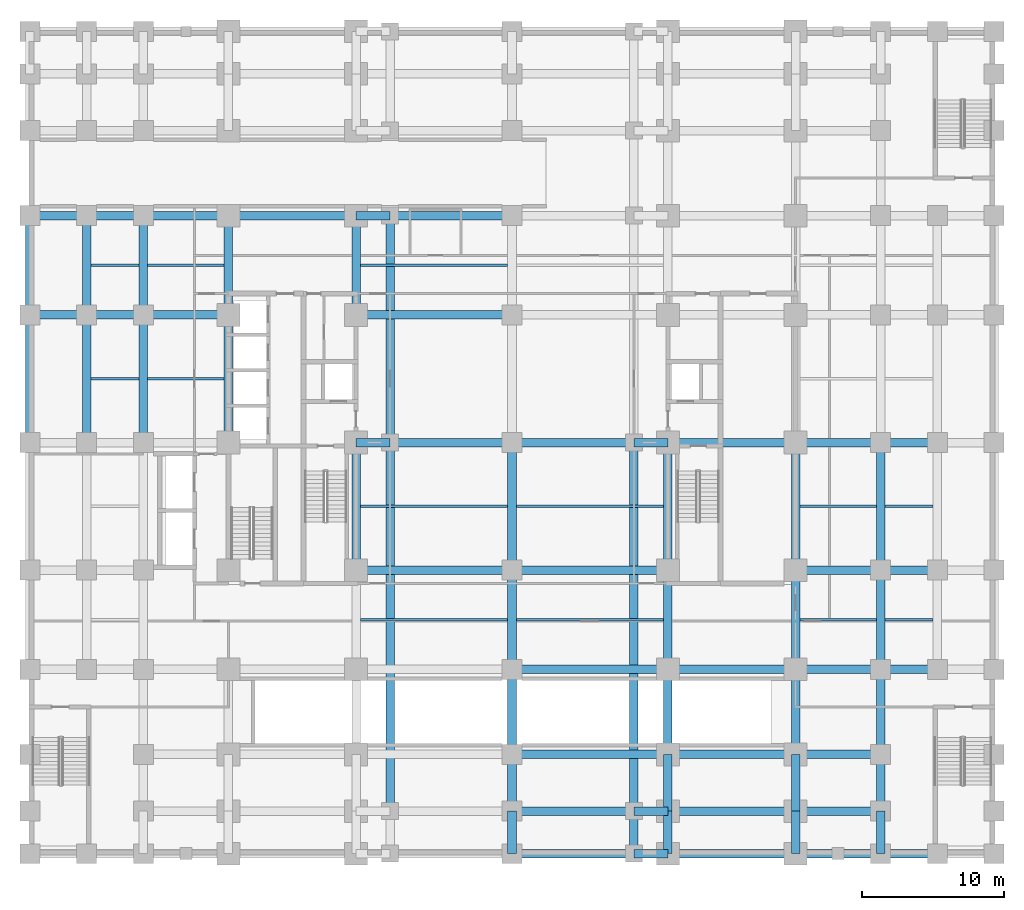
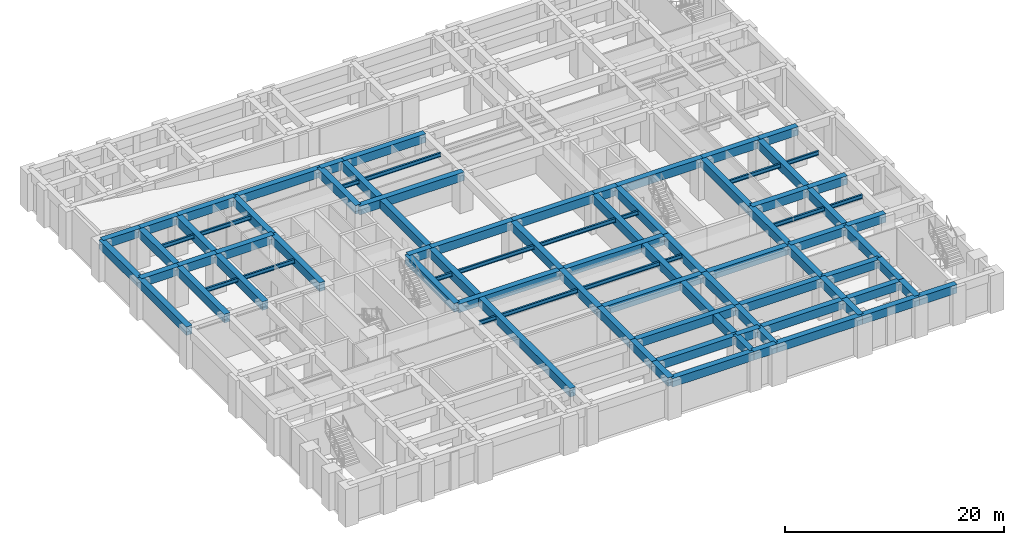
# One storey, part 2 of 14: 84 beams.
"""IFC4 building model written with IfcOpenShell, lengths in metres."""

from ifc_helpers import new_model, si_unit, direction, frame, origin, origin_2d, place, context, subcontext, project, spatial, rectangle, i_section, extrude, material, material_profile, profile_set, type_object, element, save


model = new_model("IFC4")

# Units and contexts
model_context = context("Model", 3, precision=1e-05, world=origin(), true_north=direction((0.0, 1.0)))
body_context = subcontext(model_context, "Body", "Model", "MODEL_VIEW")
ifc_project = project(units=[si_unit("LENGTHUNIT", "METRE"), si_unit("AREAUNIT", "SQUARE_METRE"), si_unit("VOLUMEUNIT", "CUBIC_METRE"), si_unit("PLANEANGLEUNIT", "RADIAN"), si_unit("MASSUNIT", "GRAM", prefix="KILO")], contexts=[model_context])

# Site, building, storey
site_placement = place(None, origin())
site = spatial("IfcSite", under=ifc_project, at=site_placement, CompositionType="ELEMENT")
building_placement = place(site_placement, origin())
building = spatial("IfcBuilding", under=site, at=building_placement, Name="Zulmaris Gate Convention Tower", CompositionType="ELEMENT")
storey_placement = place(building_placement, frame((0.0, 0.0, -4.550048828125)))
storey = spatial("IfcBuildingStorey", under=building, at=storey_placement, Name="B1", CompositionType="ELEMENT", Elevation=-4.550048828125)

# Beams
ifc_material_1 = material(Name="Concrete C60/75", Category="concrete")
ifc_material_profile_1 = material_profile(ifc_material_1, rectangle(XDim=0.60009765625, YDim=0.949951171875, at=origin_2d()), Name="RC BEAM 600x950")
ifc_profile_set_1 = profile_set([ifc_material_profile_1], Name="Concrete C60/75")
beam_type_1 = type_object("IfcBeamType", Name="BM-RC600x950", PredefinedType="BEAM", material=ifc_profile_set_1)
beam_1_placement = place(storey_placement, frame((0.0, -29.0, 3.72509765625), z_axis=(1.0, 0.0, 0.0), x_axis=(0.0, 1.0, 0.0)))
element("IfcBeam", 1, at=beam_1_placement, inside=storey, type_object=beam_type_1, Name="B1 Beam BM-B1-X--29.0-+0.0", PredefinedType="BEAM", context=body_context, shape_type="SweptSolid", body=[
    extrude(rectangle(XDim=0.60009765625, YDim=0.949951171875, at=origin_2d()), origin(), (0.0, 0.0, 1.0), 8.60009765625),
])
beam_2_placement = place(storey_placement, frame((8.60009765625, -29.0, 3.72509765625), z_axis=(1.0, 0.0, 0.0), x_axis=(0.0, 1.0, 0.0)))
element("IfcBeam", 2, at=beam_2_placement, inside=storey, type_object=beam_type_1, Name="B1 Beam BM-B1-X--29.0-+8.6", PredefinedType="BEAM", context=body_context, shape_type="SweptSolid", body=[
    extrude(rectangle(XDim=0.60009765625, YDim=0.949951171875, at=origin_2d()), origin(), (0.0, 0.0, 1.0), 2.39990234375),
])
beam_3_placement = place(storey_placement, frame((11.0, -29.0, 3.72509765625), z_axis=(1.0, 0.0, 0.0), x_axis=(0.0, 1.0, 0.0)))
element("IfcBeam", 3, at=beam_3_placement, inside=storey, type_object=beam_type_1, Name="B1 Beam BM-B1-X--29.0-+11.0", PredefinedType="BEAM", context=body_context, shape_type="SweptSolid", body=[
    extrude(rectangle(XDim=0.60009765625, YDim=0.949951171875, at=origin_2d()), origin(), (0.0, 0.0, 1.0), 9.0),
])
beam_4_placement = place(storey_placement, frame((20.0, -29.0, 3.72509765625), z_axis=(1.0, 0.0, 0.0), x_axis=(0.0, 1.0, 0.0)))
element("IfcBeam", 4, at=beam_4_placement, inside=storey, type_object=beam_type_1, Name="B1 Beam BM-B1-X--29.0-+20.0", PredefinedType="BEAM", context=body_context, shape_type="SweptSolid", body=[
    extrude(rectangle(XDim=0.60009765625, YDim=0.949951171875, at=origin_2d()), origin(), (0.0, 0.0, 1.0), 6.0),
])
beam_5_placement = place(storey_placement, frame((26.0, -29.0, 3.72509765625), z_axis=(1.0, 0.0, 0.0), x_axis=(0.0, 1.0, 0.0)))
element("IfcBeam", 5, at=beam_5_placement, inside=storey, type_object=beam_type_1, Name="B1 Beam BM-B1-X--29.0-+26.0", PredefinedType="BEAM", context=body_context, shape_type="SweptSolid", body=[
    extrude(rectangle(XDim=0.60009765625, YDim=0.949951171875, at=origin_2d()), origin(), (0.0, 0.0, 1.0), 4.0),
])
beam_6_placement = place(storey_placement, frame((0.0, -26.0, 3.72509765625), z_axis=(1.0, 0.0, 0.0), x_axis=(0.0, 1.0, 0.0)))
element("IfcBeam", 6, at=beam_6_placement, inside=storey, type_object=beam_type_1, Name="B1 Beam BM-B1-X--26.0-+0.0", PredefinedType="BEAM", context=body_context, shape_type="SweptSolid", body=[
    extrude(rectangle(XDim=0.60009765625, YDim=0.949951171875, at=origin_2d()), origin(), (0.0, 0.0, 1.0), 8.60009765625),
])
beam_7_placement = place(storey_placement, frame((8.60009765625, -26.0, 3.72509765625), z_axis=(1.0, 0.0, 0.0), x_axis=(0.0, 1.0, 0.0)))
element("IfcBeam", 7, at=beam_7_placement, inside=storey, type_object=beam_type_1, Name="B1 Beam BM-B1-X--26.0-+8.6", PredefinedType="BEAM", context=body_context, shape_type="SweptSolid", body=[
    extrude(rectangle(XDim=0.60009765625, YDim=0.949951171875, at=origin_2d()), origin(), (0.0, 0.0, 1.0), 2.39990234375),
])
beam_8_placement = place(storey_placement, frame((11.0, -26.0, 3.72509765625), z_axis=(1.0, 0.0, 0.0), x_axis=(0.0, 1.0, 0.0)))
element("IfcBeam", 8, at=beam_8_placement, inside=storey, type_object=beam_type_1, Name="B1 Beam BM-B1-X--26.0-+11.0", PredefinedType="BEAM", context=body_context, shape_type="SweptSolid", body=[
    extrude(rectangle(XDim=0.60009765625, YDim=0.949951171875, at=origin_2d()), origin(), (0.0, 0.0, 1.0), 9.0),
])
beam_9_placement = place(storey_placement, frame((20.0, -26.0, 3.72509765625), z_axis=(1.0, 0.0, 0.0), x_axis=(0.0, 1.0, 0.0)))
element("IfcBeam", 9, at=beam_9_placement, inside=storey, type_object=beam_type_1, Name="B1 Beam BM-B1-X--26.0-+20.0", PredefinedType="BEAM", context=body_context, shape_type="SweptSolid", body=[
    extrude(rectangle(XDim=0.60009765625, YDim=0.949951171875, at=origin_2d()), origin(), (0.0, 0.0, 1.0), 6.0),
])
beam_10_placement = place(storey_placement, frame((0.0, -22.0, 3.72509765625), z_axis=(1.0, 0.0, 0.0), x_axis=(0.0, 1.0, 0.0)))
element("IfcBeam", 10, at=beam_10_placement, inside=storey, type_object=beam_type_1, Name="B1 Beam BM-B1-X--22.0-+0.0", PredefinedType="BEAM", context=body_context, shape_type="SweptSolid", body=[
    extrude(rectangle(XDim=0.60009765625, YDim=0.949951171875, at=origin_2d()), origin(), (0.0, 0.0, 1.0), 11.0),
])
beam_11_placement = place(storey_placement, frame((11.0, -22.0, 3.72509765625), z_axis=(1.0, 0.0, 0.0), x_axis=(0.0, 1.0, 0.0)))
element("IfcBeam", 11, at=beam_11_placement, inside=storey, type_object=beam_type_1, Name="B1 Beam BM-B1-X--22.0-+11.0", PredefinedType="BEAM", context=body_context, shape_type="SweptSolid", body=[
    extrude(rectangle(XDim=0.60009765625, YDim=0.949951171875, at=origin_2d()), origin(), (0.0, 0.0, 1.0), 9.0),
])
beam_12_placement = place(storey_placement, frame((20.0, -22.0, 3.72509765625), z_axis=(1.0, 0.0, 0.0), x_axis=(0.0, 1.0, 0.0)))
element("IfcBeam", 12, at=beam_12_placement, inside=storey, type_object=beam_type_1, Name="B1 Beam BM-B1-X--22.0-+20.0", PredefinedType="BEAM", context=body_context, shape_type="SweptSolid", body=[
    extrude(rectangle(XDim=0.60009765625, YDim=0.949951171875, at=origin_2d()), origin(), (0.0, 0.0, 1.0), 6.0),
])
beam_13_placement = place(storey_placement, frame((0.0, -16.0, 3.72509765625), z_axis=(1.0, 0.0, 0.0), x_axis=(0.0, 1.0, 0.0)))
element("IfcBeam", 13, at=beam_13_placement, inside=storey, type_object=beam_type_1, Name="B1 Beam BM-B1-X--16.0-+0.0", PredefinedType="BEAM", context=body_context, shape_type="SweptSolid", body=[
    extrude(rectangle(XDim=0.60009765625, YDim=0.949951171875, at=origin_2d()), origin(), (0.0, 0.0, 1.0), 11.0),
])
beam_14_placement = place(storey_placement, frame((11.0, -16.0, 3.72509765625), z_axis=(1.0, 0.0, 0.0), x_axis=(0.0, 1.0, 0.0)))
element("IfcBeam", 14, at=beam_14_placement, inside=storey, type_object=beam_type_1, Name="B1 Beam BM-B1-X--16.0-+11.0", PredefinedType="BEAM", context=body_context, shape_type="SweptSolid", body=[
    extrude(rectangle(XDim=0.60009765625, YDim=0.949951171875, at=origin_2d()), origin(), (0.0, 0.0, 1.0), 9.0),
])
beam_15_placement = place(storey_placement, frame((20.0, -16.0, 3.72509765625), z_axis=(1.0, 0.0, 0.0), x_axis=(0.0, 1.0, 0.0)))
element("IfcBeam", 15, at=beam_15_placement, inside=storey, type_object=beam_type_1, Name="B1 Beam BM-B1-X--16.0-+20.0", PredefinedType="BEAM", context=body_context, shape_type="SweptSolid", body=[
    extrude(rectangle(XDim=0.60009765625, YDim=0.949951171875, at=origin_2d()), origin(), (0.0, 0.0, 1.0), 6.0),
])
beam_16_placement = place(storey_placement, frame((26.0, -16.0, 3.72509765625), z_axis=(1.0, 0.0, 0.0), x_axis=(0.0, 1.0, 0.0)))
element("IfcBeam", 16, at=beam_16_placement, inside=storey, type_object=beam_type_1, Name="B1 Beam BM-B1-X--16.0-+26.0", PredefinedType="BEAM", context=body_context, shape_type="SweptSolid", body=[
    extrude(rectangle(XDim=0.60009765625, YDim=0.949951171875, at=origin_2d()), origin(), (0.0, 0.0, 1.0), 4.0),
])
for number, where, z_axis, x_axis, name in (
    (17, (-11.0, -9.0, 3.72509765625), (1.0, 0.0, 0.0), (0.0, 1.0, 0.0), "B1 Beam BM-B1-X--9.0--11.0"),
    (18, (0.0, -9.0, 3.72509765625), (1.0, 0.0, 0.0), (0.0, 1.0, 0.0), "B1 Beam BM-B1-X--9.0-+0.0"),
):
    element("IfcBeam", number, at=place(storey_placement, frame(where, z_axis=z_axis, x_axis=x_axis)), inside=storey, type_object=beam_type_1, Name=name, PredefinedType="BEAM", context=body_context, shape_type="SweptSolid", body=[
        extrude(rectangle(XDim=0.60009765625, YDim=0.949951171875, at=origin_2d()), origin(), (0.0, 0.0, 1.0), 11.0),
    ])
beam_17_placement = place(storey_placement, frame((20.0, -9.0, 3.72509765625), z_axis=(1.0, 0.0, 0.0), x_axis=(0.0, 1.0, 0.0)))
element("IfcBeam", 19, at=beam_17_placement, inside=storey, type_object=beam_type_1, Name="B1 Beam BM-B1-X--9.0-+20.0", PredefinedType="BEAM", context=body_context, shape_type="SweptSolid", body=[
    extrude(rectangle(XDim=0.60009765625, YDim=0.949951171875, at=origin_2d()), origin(), (0.0, 0.0, 1.0), 6.0),
])
beam_18_placement = place(storey_placement, frame((26.0, -9.0, 3.72509765625), z_axis=(1.0, 0.0, 0.0), x_axis=(0.0, 1.0, 0.0)))
element("IfcBeam", 20, at=beam_18_placement, inside=storey, type_object=beam_type_1, Name="B1 Beam BM-B1-X--9.0-+26.0", PredefinedType="BEAM", context=body_context, shape_type="SweptSolid", body=[
    extrude(rectangle(XDim=0.60009765625, YDim=0.949951171875, at=origin_2d()), origin(), (0.0, 0.0, 1.0), 4.0),
])
beam_19_placement = place(storey_placement, frame((-11.0, 0.0, 3.72509765625), z_axis=(1.0, 0.0, 0.0), x_axis=(0.0, 1.0, 0.0)))
element("IfcBeam", 21, at=beam_19_placement, inside=storey, type_object=beam_type_1, Name="B1 Beam BM-B1-X-+0.0--11.0", PredefinedType="BEAM", context=body_context, shape_type="SweptSolid", body=[
    extrude(rectangle(XDim=0.60009765625, YDim=0.949951171875, at=origin_2d()), origin(), (0.0, 0.0, 1.0), 2.39990234375),
])
for number, where, z_axis, x_axis, name in (
    (22, (-8.60009765625, 0.0, 3.72509765625), (1.0, 0.0, 0.0), (0.0, 1.0, 0.0), "B1 Beam BM-B1-X-+0.0--8.6"),
    (23, (0.0, 0.0, 3.72509765625), (1.0, 0.0, 0.0), (0.0, 1.0, 0.0), "B1 Beam BM-B1-X-+0.0-+0.0"),
):
    element("IfcBeam", number, at=place(storey_placement, frame(where, z_axis=z_axis, x_axis=x_axis)), inside=storey, type_object=beam_type_1, Name=name, PredefinedType="BEAM", context=body_context, shape_type="SweptSolid", body=[
        extrude(rectangle(XDim=0.60009765625, YDim=0.949951171875, at=origin_2d()), origin(), (0.0, 0.0, 1.0), 8.60009765625),
    ])
beam_20_placement = place(storey_placement, frame((8.60009765625, 0.0, 3.72509765625), z_axis=(1.0, 0.0, 0.0), x_axis=(0.0, 1.0, 0.0)))
element("IfcBeam", 24, at=beam_20_placement, inside=storey, type_object=beam_type_1, Name="B1 Beam BM-B1-X-+0.0-+8.6", PredefinedType="BEAM", context=body_context, shape_type="SweptSolid", body=[
    extrude(rectangle(XDim=0.60009765625, YDim=0.949951171875, at=origin_2d()), origin(), (0.0, 0.0, 1.0), 2.39990234375),
])
beam_21_placement = place(storey_placement, frame((11.0, 0.0, 3.72509765625), z_axis=(1.0, 0.0, 0.0), x_axis=(0.0, 1.0, 0.0)))
element("IfcBeam", 25, at=beam_21_placement, inside=storey, type_object=beam_type_1, Name="B1 Beam BM-B1-X-+0.0-+11.0", PredefinedType="BEAM", context=body_context, shape_type="SweptSolid", body=[
    extrude(rectangle(XDim=0.60009765625, YDim=0.949951171875, at=origin_2d()), origin(), (0.0, 0.0, 1.0), 9.0),
])
beam_22_placement = place(storey_placement, frame((20.0, 0.0, 3.72509765625), z_axis=(1.0, 0.0, 0.0), x_axis=(0.0, 1.0, 0.0)))
element("IfcBeam", 26, at=beam_22_placement, inside=storey, type_object=beam_type_1, Name="B1 Beam BM-B1-X-+0.0-+20.0", PredefinedType="BEAM", context=body_context, shape_type="SweptSolid", body=[
    extrude(rectangle(XDim=0.60009765625, YDim=0.949951171875, at=origin_2d()), origin(), (0.0, 0.0, 1.0), 6.0),
])
for number, where, z_axis, x_axis, name in (
    (27, (26.0, 0.0, 3.72509765625), (1.0, 0.0, 0.0), (0.0, 1.0, 0.0), "B1 Beam BM-B1-X-+0.0-+26.0"),
    (28, (-34.0, 9.0, 3.72509765625), (1.0, 0.0, 0.0), (0.0, 1.0, 0.0), "B1 Beam BM-B1-X-+9.0--34.0"),
    (29, (-30.0, 9.0, 3.72509765625), (1.0, 0.0, 0.0), (0.0, 1.0, 0.0), "B1 Beam BM-B1-X-+9.0--30.0"),
):
    element("IfcBeam", number, at=place(storey_placement, frame(where, z_axis=z_axis, x_axis=x_axis)), inside=storey, type_object=beam_type_1, Name=name, PredefinedType="BEAM", context=body_context, shape_type="SweptSolid", body=[
        extrude(rectangle(XDim=0.60009765625, YDim=0.949951171875, at=origin_2d()), origin(), (0.0, 0.0, 1.0), 4.0),
    ])
beam_23_placement = place(storey_placement, frame((-26.0, 9.0, 3.72509765625), z_axis=(1.0, 0.0, 0.0), x_axis=(0.0, 1.0, 0.0)))
element("IfcBeam", 30, at=beam_23_placement, inside=storey, type_object=beam_type_1, Name="B1 Beam BM-B1-X-+9.0--26.0", PredefinedType="BEAM", context=body_context, shape_type="SweptSolid", body=[
    extrude(rectangle(XDim=0.60009765625, YDim=0.949951171875, at=origin_2d()), origin(), (0.0, 0.0, 1.0), 6.0),
])
beam_24_placement = place(storey_placement, frame((-11.0, 9.0, 3.72509765625), z_axis=(1.0, 0.0, 0.0), x_axis=(0.0, 1.0, 0.0)))
element("IfcBeam", 31, at=beam_24_placement, inside=storey, type_object=beam_type_1, Name="B1 Beam BM-B1-X-+9.0--11.0", PredefinedType="BEAM", context=body_context, shape_type="SweptSolid", body=[
    extrude(rectangle(XDim=0.60009765625, YDim=0.949951171875, at=origin_2d()), origin(), (0.0, 0.0, 1.0), 11.0),
])
for number, where, z_axis, x_axis, name in (
    (32, (-34.0, 16.0, 3.72509765625), (1.0, 0.0, 0.0), (0.0, 1.0, 0.0), "B1 Beam BM-B1-X-+16.0--34.0"),
    (33, (-30.0, 16.0, 3.72509765625), (1.0, 0.0, 0.0), (0.0, 1.0, 0.0), "B1 Beam BM-B1-X-+16.0--30.0"),
):
    element("IfcBeam", number, at=place(storey_placement, frame(where, z_axis=z_axis, x_axis=x_axis)), inside=storey, type_object=beam_type_1, Name=name, PredefinedType="BEAM", context=body_context, shape_type="SweptSolid", body=[
        extrude(rectangle(XDim=0.60009765625, YDim=0.949951171875, at=origin_2d()), origin(), (0.0, 0.0, 1.0), 4.0),
    ])
beam_25_placement = place(storey_placement, frame((-26.0, 16.0, 3.72509765625), z_axis=(1.0, 0.0, 0.0), x_axis=(0.0, 1.0, 0.0)))
element("IfcBeam", 34, at=beam_25_placement, inside=storey, type_object=beam_type_1, Name="B1 Beam BM-B1-X-+16.0--26.0", PredefinedType="BEAM", context=body_context, shape_type="SweptSolid", body=[
    extrude(rectangle(XDim=0.60009765625, YDim=0.949951171875, at=origin_2d()), origin(), (0.0, 0.0, 1.0), 6.0),
])
beam_26_placement = place(storey_placement, frame((-20.0, 16.0, 3.72509765625), z_axis=(1.0, 0.0, 0.0), x_axis=(0.0, 1.0, 0.0)))
element("IfcBeam", 35, at=beam_26_placement, inside=storey, type_object=beam_type_1, Name="B1 Beam BM-B1-X-+16.0--20.0", PredefinedType="BEAM", context=body_context, shape_type="SweptSolid", body=[
    extrude(rectangle(XDim=0.60009765625, YDim=0.949951171875, at=origin_2d()), origin(), (0.0, 0.0, 1.0), 9.0),
])
beam_27_placement = place(storey_placement, frame((-11.0, 16.0, 3.72509765625), z_axis=(1.0, 0.0, 0.0), x_axis=(0.0, 1.0, 0.0)))
element("IfcBeam", 36, at=beam_27_placement, inside=storey, type_object=beam_type_1, Name="B1 Beam BM-B1-X-+16.0--11.0", PredefinedType="BEAM", context=body_context, shape_type="SweptSolid", body=[
    extrude(rectangle(XDim=0.60009765625, YDim=0.949951171875, at=origin_2d()), origin(), (0.0, 0.0, 1.0), 2.39990234375),
])
beam_28_placement = place(storey_placement, frame((-8.60009765625, 16.0, 3.72509765625), z_axis=(1.0, 0.0, 0.0), x_axis=(0.0, 1.0, 0.0)))
element("IfcBeam", 37, at=beam_28_placement, inside=storey, type_object=beam_type_1, Name="B1 Beam BM-B1-X-+16.0--8.6", PredefinedType="BEAM", context=body_context, shape_type="SweptSolid", body=[
    extrude(rectangle(XDim=0.60009765625, YDim=0.949951171875, at=origin_2d()), origin(), (0.0, 0.0, 1.0), 8.60009765625),
])
beam_29_placement = place(storey_placement, frame((-34.0, 0.0, 3.72509765625), z_axis=(0.0, 1.0, 0.0), x_axis=(-1.0, 0.0, 0.0)))
element("IfcBeam", 38, at=beam_29_placement, inside=storey, type_object=beam_type_1, Name="B1 Beam BM-B1-Y--34.0-+0.0", PredefinedType="BEAM", context=body_context, shape_type="SweptSolid", body=[
    extrude(rectangle(XDim=0.60009765625, YDim=0.949951171875, at=origin_2d()), origin(), (0.0, 0.0, 1.0), 9.0),
])
beam_30_placement = place(storey_placement, frame((-34.0, 9.0, 3.72509765625), z_axis=(0.0, 1.0, 0.0), x_axis=(-1.0, 0.0, 0.0)))
element("IfcBeam", 39, at=beam_30_placement, inside=storey, type_object=beam_type_1, Name="B1 Beam BM-B1-Y--34.0-+9.0", PredefinedType="BEAM", context=body_context, shape_type="SweptSolid", body=[
    extrude(rectangle(XDim=0.60009765625, YDim=0.949951171875, at=origin_2d()), origin(), (0.0, 0.0, 1.0), 7.0),
])
beam_31_placement = place(storey_placement, frame((-30.0, 0.0, 3.72509765625), z_axis=(0.0, 1.0, 0.0), x_axis=(-1.0, 0.0, 0.0)))
element("IfcBeam", 40, at=beam_31_placement, inside=storey, type_object=beam_type_1, Name="B1 Beam BM-B1-Y--30.0-+0.0", PredefinedType="BEAM", context=body_context, shape_type="SweptSolid", body=[
    extrude(rectangle(XDim=0.60009765625, YDim=0.949951171875, at=origin_2d()), origin(), (0.0, 0.0, 1.0), 9.0),
])
beam_32_placement = place(storey_placement, frame((-30.0, 9.0, 3.72509765625), z_axis=(0.0, 1.0, 0.0), x_axis=(-1.0, 0.0, 0.0)))
element("IfcBeam", 41, at=beam_32_placement, inside=storey, type_object=beam_type_1, Name="B1 Beam BM-B1-Y--30.0-+9.0", PredefinedType="BEAM", context=body_context, shape_type="SweptSolid", body=[
    extrude(rectangle(XDim=0.60009765625, YDim=0.949951171875, at=origin_2d()), origin(), (0.0, 0.0, 1.0), 7.0),
])
beam_33_placement = place(storey_placement, frame((-26.0, 0.0, 3.72509765625), z_axis=(0.0, 1.0, 0.0), x_axis=(-1.0, 0.0, 0.0)))
element("IfcBeam", 42, at=beam_33_placement, inside=storey, type_object=beam_type_1, Name="B1 Beam BM-B1-Y--26.0-+0.0", PredefinedType="BEAM", context=body_context, shape_type="SweptSolid", body=[
    extrude(rectangle(XDim=0.60009765625, YDim=0.949951171875, at=origin_2d()), origin(), (0.0, 0.0, 1.0), 9.0),
])
beam_34_placement = place(storey_placement, frame((-26.0, 9.0, 3.72509765625), z_axis=(0.0, 1.0, 0.0), x_axis=(-1.0, 0.0, 0.0)))
element("IfcBeam", 43, at=beam_34_placement, inside=storey, type_object=beam_type_1, Name="B1 Beam BM-B1-Y--26.0-+9.0", PredefinedType="BEAM", context=body_context, shape_type="SweptSolid", body=[
    extrude(rectangle(XDim=0.60009765625, YDim=0.949951171875, at=origin_2d()), origin(), (0.0, 0.0, 1.0), 7.0),
])
beam_35_placement = place(storey_placement, frame((-20.0, 0.0, 3.72509765625), z_axis=(0.0, 1.0, 0.0), x_axis=(-1.0, 0.0, 0.0)))
element("IfcBeam", 44, at=beam_35_placement, inside=storey, type_object=beam_type_1, Name="B1 Beam BM-B1-Y--20.0-+0.0", PredefinedType="BEAM", context=body_context, shape_type="SweptSolid", body=[
    extrude(rectangle(XDim=0.60009765625, YDim=0.949951171875, at=origin_2d()), origin(), (0.0, 0.0, 1.0), 9.0),
])
beam_36_placement = place(storey_placement, frame((-20.0, 9.0, 3.72509765625), z_axis=(0.0, 1.0, 0.0), x_axis=(-1.0, 0.0, 0.0)))
element("IfcBeam", 45, at=beam_36_placement, inside=storey, type_object=beam_type_1, Name="B1 Beam BM-B1-Y--20.0-+9.0", PredefinedType="BEAM", context=body_context, shape_type="SweptSolid", body=[
    extrude(rectangle(XDim=0.60009765625, YDim=0.949951171875, at=origin_2d()), origin(), (0.0, 0.0, 1.0), 7.0),
])
beam_37_placement = place(storey_placement, frame((-11.0, -9.0, 3.72509765625), z_axis=(0.0, 1.0, 0.0), x_axis=(-1.0, 0.0, 0.0)))
element("IfcBeam", 46, at=beam_37_placement, inside=storey, type_object=beam_type_1, Name="B1 Beam BM-B1-Y--11.0--9.0", PredefinedType="BEAM", context=body_context, shape_type="SweptSolid", body=[
    extrude(rectangle(XDim=0.60009765625, YDim=0.949951171875, at=origin_2d()), origin(), (0.0, 0.0, 1.0), 9.0),
])
beam_38_placement = place(storey_placement, frame((-11.0, 9.0, 3.72509765625), z_axis=(0.0, 1.0, 0.0), x_axis=(-1.0, 0.0, 0.0)))
element("IfcBeam", 47, at=beam_38_placement, inside=storey, type_object=beam_type_1, Name="B1 Beam BM-B1-Y--11.0-+9.0", PredefinedType="BEAM", context=body_context, shape_type="SweptSolid", body=[
    extrude(rectangle(XDim=0.60009765625, YDim=0.949951171875, at=origin_2d()), origin(), (0.0, 0.0, 1.0), 7.0),
])
beam_39_placement = place(storey_placement, frame((-8.60009765625, -26.0, 3.72509765625), z_axis=(0.0, 1.0, 0.0), x_axis=(-1.0, 0.0, 0.0)))
element("IfcBeam", 48, at=beam_39_placement, inside=storey, type_object=beam_type_1, Name="B1 Beam BM-B1-Y--8.6--26.0", PredefinedType="BEAM", context=body_context, shape_type="SweptSolid", body=[
    extrude(rectangle(XDim=0.60009765625, YDim=0.949951171875, at=origin_2d()), origin(), (0.0, 0.0, 1.0), 26.0),
])
beam_40_placement = place(storey_placement, frame((-8.60009765625, 0.0, 3.72509765625), z_axis=(0.0, 1.0, 0.0), x_axis=(-1.0, 0.0, 0.0)))
element("IfcBeam", 49, at=beam_40_placement, inside=storey, type_object=beam_type_1, Name="B1 Beam BM-B1-Y--8.6-+0.0", PredefinedType="BEAM", context=body_context, shape_type="SweptSolid", body=[
    extrude(rectangle(XDim=0.60009765625, YDim=0.949951171875, at=origin_2d()), origin(), (0.0, 0.0, 1.0), 16.0),
])
beam_41_placement = place(storey_placement, frame((0.0, -29.0, 3.72509765625), z_axis=(0.0, 1.0, 0.0), x_axis=(-1.0, 0.0, 0.0)))
element("IfcBeam", 50, at=beam_41_placement, inside=storey, type_object=beam_type_1, Name="B1 Beam BM-B1-Y-+0.0--29.0", PredefinedType="BEAM", context=body_context, shape_type="SweptSolid", body=[
    extrude(rectangle(XDim=0.60009765625, YDim=0.949951171875, at=origin_2d()), origin(), (0.0, 0.0, 1.0), 3.0),
])
beam_42_placement = place(storey_placement, frame((0.0, -26.0, 3.72509765625), z_axis=(0.0, 1.0, 0.0), x_axis=(-1.0, 0.0, 0.0)))
element("IfcBeam", 51, at=beam_42_placement, inside=storey, type_object=beam_type_1, Name="B1 Beam BM-B1-Y-+0.0--26.0", PredefinedType="BEAM", context=body_context, shape_type="SweptSolid", body=[
    extrude(rectangle(XDim=0.60009765625, YDim=0.949951171875, at=origin_2d()), origin(), (0.0, 0.0, 1.0), 4.0),
])
beam_43_placement = place(storey_placement, frame((0.0, -22.0, 3.72509765625), z_axis=(0.0, 1.0, 0.0), x_axis=(-1.0, 0.0, 0.0)))
element("IfcBeam", 52, at=beam_43_placement, inside=storey, type_object=beam_type_1, Name="B1 Beam BM-B1-Y-+0.0--22.0", PredefinedType="BEAM", context=body_context, shape_type="SweptSolid", body=[
    extrude(rectangle(XDim=0.60009765625, YDim=0.949951171875, at=origin_2d()), origin(), (0.0, 0.0, 1.0), 6.0),
])
beam_44_placement = place(storey_placement, frame((0.0, -16.0, 3.72509765625), z_axis=(0.0, 1.0, 0.0), x_axis=(-1.0, 0.0, 0.0)))
element("IfcBeam", 53, at=beam_44_placement, inside=storey, type_object=beam_type_1, Name="B1 Beam BM-B1-Y-+0.0--16.0", PredefinedType="BEAM", context=body_context, shape_type="SweptSolid", body=[
    extrude(rectangle(XDim=0.60009765625, YDim=0.949951171875, at=origin_2d()), origin(), (0.0, 0.0, 1.0), 7.0),
])
beam_45_placement = place(storey_placement, frame((0.0, -9.0, 3.72509765625), z_axis=(0.0, 1.0, 0.0), x_axis=(-1.0, 0.0, 0.0)))
element("IfcBeam", 54, at=beam_45_placement, inside=storey, type_object=beam_type_1, Name="B1 Beam BM-B1-Y-+0.0--9.0", PredefinedType="BEAM", context=body_context, shape_type="SweptSolid", body=[
    extrude(rectangle(XDim=0.60009765625, YDim=0.949951171875, at=origin_2d()), origin(), (0.0, 0.0, 1.0), 9.0),
])
beam_46_placement = place(storey_placement, frame((8.60009765625, -29.0, 3.72509765625), z_axis=(0.0, 1.0, 0.0), x_axis=(-1.0, 0.0, 0.0)))
element("IfcBeam", 55, at=beam_46_placement, inside=storey, type_object=beam_type_1, Name="B1 Beam BM-B1-Y-+8.6--29.0", PredefinedType="BEAM", context=body_context, shape_type="SweptSolid", body=[
    extrude(rectangle(XDim=0.60009765625, YDim=0.949951171875, at=origin_2d()), origin(), (0.0, 0.0, 1.0), 3.0),
])
beam_47_placement = place(storey_placement, frame((8.60009765625, -26.0, 3.72509765625), z_axis=(0.0, 1.0, 0.0), x_axis=(-1.0, 0.0, 0.0)))
element("IfcBeam", 56, at=beam_47_placement, inside=storey, type_object=beam_type_1, Name="B1 Beam BM-B1-Y-+8.6--26.0", PredefinedType="BEAM", context=body_context, shape_type="SweptSolid", body=[
    extrude(rectangle(XDim=0.60009765625, YDim=0.949951171875, at=origin_2d()), origin(), (0.0, 0.0, 1.0), 26.0),
])
beam_48_placement = place(storey_placement, frame((11.0, -29.0, 3.72509765625), z_axis=(0.0, 1.0, 0.0), x_axis=(-1.0, 0.0, 0.0)))
element("IfcBeam", 57, at=beam_48_placement, inside=storey, type_object=beam_type_1, Name="B1 Beam BM-B1-Y-+11.0--29.0", PredefinedType="BEAM", context=body_context, shape_type="SweptSolid", body=[
    extrude(rectangle(XDim=0.60009765625, YDim=0.949951171875, at=origin_2d()), origin(), (0.0, 0.0, 1.0), 3.0),
])
beam_49_placement = place(storey_placement, frame((11.0, -26.0, 3.72509765625), z_axis=(0.0, 1.0, 0.0), x_axis=(-1.0, 0.0, 0.0)))
element("IfcBeam", 58, at=beam_49_placement, inside=storey, type_object=beam_type_1, Name="B1 Beam BM-B1-Y-+11.0--26.0", PredefinedType="BEAM", context=body_context, shape_type="SweptSolid", body=[
    extrude(rectangle(XDim=0.60009765625, YDim=0.949951171875, at=origin_2d()), origin(), (0.0, 0.0, 1.0), 4.0),
])
beam_50_placement = place(storey_placement, frame((11.0, -22.0, 3.72509765625), z_axis=(0.0, 1.0, 0.0), x_axis=(-1.0, 0.0, 0.0)))
element("IfcBeam", 59, at=beam_50_placement, inside=storey, type_object=beam_type_1, Name="B1 Beam BM-B1-Y-+11.0--22.0", PredefinedType="BEAM", context=body_context, shape_type="SweptSolid", body=[
    extrude(rectangle(XDim=0.60009765625, YDim=0.949951171875, at=origin_2d()), origin(), (0.0, 0.0, 1.0), 6.0),
])
beam_51_placement = place(storey_placement, frame((11.0, -16.0, 3.72509765625), z_axis=(0.0, 1.0, 0.0), x_axis=(-1.0, 0.0, 0.0)))
element("IfcBeam", 60, at=beam_51_placement, inside=storey, type_object=beam_type_1, Name="B1 Beam BM-B1-Y-+11.0--16.0", PredefinedType="BEAM", context=body_context, shape_type="SweptSolid", body=[
    extrude(rectangle(XDim=0.60009765625, YDim=0.949951171875, at=origin_2d()), origin(), (0.0, 0.0, 1.0), 7.0),
])
beam_52_placement = place(storey_placement, frame((11.0, -9.0, 3.72509765625), z_axis=(0.0, 1.0, 0.0), x_axis=(-1.0, 0.0, 0.0)))
element("IfcBeam", 61, at=beam_52_placement, inside=storey, type_object=beam_type_1, Name="B1 Beam BM-B1-Y-+11.0--9.0", PredefinedType="BEAM", context=body_context, shape_type="SweptSolid", body=[
    extrude(rectangle(XDim=0.60009765625, YDim=0.949951171875, at=origin_2d()), origin(), (0.0, 0.0, 1.0), 9.0),
])
beam_53_placement = place(storey_placement, frame((20.0, -29.0, 3.72509765625), z_axis=(0.0, 1.0, 0.0), x_axis=(-1.0, 0.0, 0.0)))
element("IfcBeam", 62, at=beam_53_placement, inside=storey, type_object=beam_type_1, Name="B1 Beam BM-B1-Y-+20.0--29.0", PredefinedType="BEAM", context=body_context, shape_type="SweptSolid", body=[
    extrude(rectangle(XDim=0.60009765625, YDim=0.949951171875, at=origin_2d()), origin(), (0.0, 0.0, 1.0), 3.0),
])
beam_54_placement = place(storey_placement, frame((20.0, -26.0, 3.72509765625), z_axis=(0.0, 1.0, 0.0), x_axis=(-1.0, 0.0, 0.0)))
element("IfcBeam", 63, at=beam_54_placement, inside=storey, type_object=beam_type_1, Name="B1 Beam BM-B1-Y-+20.0--26.0", PredefinedType="BEAM", context=body_context, shape_type="SweptSolid", body=[
    extrude(rectangle(XDim=0.60009765625, YDim=0.949951171875, at=origin_2d()), origin(), (0.0, 0.0, 1.0), 4.0),
])
beam_55_placement = place(storey_placement, frame((20.0, -22.0, 3.72509765625), z_axis=(0.0, 1.0, 0.0), x_axis=(-1.0, 0.0, 0.0)))
element("IfcBeam", 64, at=beam_55_placement, inside=storey, type_object=beam_type_1, Name="B1 Beam BM-B1-Y-+20.0--22.0", PredefinedType="BEAM", context=body_context, shape_type="SweptSolid", body=[
    extrude(rectangle(XDim=0.60009765625, YDim=0.949951171875, at=origin_2d()), origin(), (0.0, 0.0, 1.0), 6.0),
])
beam_56_placement = place(storey_placement, frame((20.0, -16.0, 3.72509765625), z_axis=(0.0, 1.0, 0.0), x_axis=(-1.0, 0.0, 0.0)))
element("IfcBeam", 65, at=beam_56_placement, inside=storey, type_object=beam_type_1, Name="B1 Beam BM-B1-Y-+20.0--16.0", PredefinedType="BEAM", context=body_context, shape_type="SweptSolid", body=[
    extrude(rectangle(XDim=0.60009765625, YDim=0.949951171875, at=origin_2d()), origin(), (0.0, 0.0, 1.0), 7.0),
])
beam_57_placement = place(storey_placement, frame((20.0, -9.0, 3.72509765625), z_axis=(0.0, 1.0, 0.0), x_axis=(-1.0, 0.0, 0.0)))
element("IfcBeam", 66, at=beam_57_placement, inside=storey, type_object=beam_type_1, Name="B1 Beam BM-B1-Y-+20.0--9.0", PredefinedType="BEAM", context=body_context, shape_type="SweptSolid", body=[
    extrude(rectangle(XDim=0.60009765625, YDim=0.949951171875, at=origin_2d()), origin(), (0.0, 0.0, 1.0), 9.0),
])
beam_58_placement = place(storey_placement, frame((26.0, -29.0, 3.72509765625), z_axis=(0.0, 1.0, 0.0), x_axis=(-1.0, 0.0, 0.0)))
element("IfcBeam", 67, at=beam_58_placement, inside=storey, type_object=beam_type_1, Name="B1 Beam BM-B1-Y-+26.0--29.0", PredefinedType="BEAM", context=body_context, shape_type="SweptSolid", body=[
    extrude(rectangle(XDim=0.60009765625, YDim=0.949951171875, at=origin_2d()), origin(), (0.0, 0.0, 1.0), 3.0),
])
beam_59_placement = place(storey_placement, frame((26.0, -26.0, 3.72509765625), z_axis=(0.0, 1.0, 0.0), x_axis=(-1.0, 0.0, 0.0)))
element("IfcBeam", 68, at=beam_59_placement, inside=storey, type_object=beam_type_1, Name="B1 Beam BM-B1-Y-+26.0--26.0", PredefinedType="BEAM", context=body_context, shape_type="SweptSolid", body=[
    extrude(rectangle(XDim=0.60009765625, YDim=0.949951171875, at=origin_2d()), origin(), (0.0, 0.0, 1.0), 4.0),
])
beam_60_placement = place(storey_placement, frame((26.0, -22.0, 3.72509765625), z_axis=(0.0, 1.0, 0.0), x_axis=(-1.0, 0.0, 0.0)))
element("IfcBeam", 69, at=beam_60_placement, inside=storey, type_object=beam_type_1, Name="B1 Beam BM-B1-Y-+26.0--22.0", PredefinedType="BEAM", context=body_context, shape_type="SweptSolid", body=[
    extrude(rectangle(XDim=0.60009765625, YDim=0.949951171875, at=origin_2d()), origin(), (0.0, 0.0, 1.0), 6.0),
])
beam_61_placement = place(storey_placement, frame((26.0, -16.0, 3.72509765625), z_axis=(0.0, 1.0, 0.0), x_axis=(-1.0, 0.0, 0.0)))
element("IfcBeam", 70, at=beam_61_placement, inside=storey, type_object=beam_type_1, Name="B1 Beam BM-B1-Y-+26.0--16.0", PredefinedType="BEAM", context=body_context, shape_type="SweptSolid", body=[
    extrude(rectangle(XDim=0.60009765625, YDim=0.949951171875, at=origin_2d()), origin(), (0.0, 0.0, 1.0), 7.0),
])
beam_62_placement = place(storey_placement, frame((26.0, -9.0, 3.72509765625), z_axis=(0.0, 1.0, 0.0), x_axis=(-1.0, 0.0, 0.0)))
element("IfcBeam", 71, at=beam_62_placement, inside=storey, type_object=beam_type_1, Name="B1 Beam BM-B1-Y-+26.0--9.0", PredefinedType="BEAM", context=body_context, shape_type="SweptSolid", body=[
    extrude(rectangle(XDim=0.60009765625, YDim=0.949951171875, at=origin_2d()), origin(), (0.0, 0.0, 1.0), 9.0),
])
ifc_material_2 = material(Name="Steel S355", Category="steel")
ifc_material_profile_2 = material_profile(ifc_material_2, i_section(OverallWidth=0.18994140625, OverallDepth=0.449951171875, WebThickness=0.009521484375, FlangeThickness=0.0146484375, FilletRadius=0.02099609375, at=origin_2d()), Name="IPE 450")
ifc_profile_set_2 = profile_set([ifc_material_profile_2], Name="Steel S355")
beam_type_2 = type_object("IfcBeamType", Name="JT-IPE450", PredefinedType="JOIST", material=ifc_profile_set_2)
for number, where, z_axis, x_axis, name in (
    (72, (-29.699951171875, 4.5, 3.97314453125), (1.0, 0.0, 0.0), (0.0, 1.0, 0.0), "B1 Joist JT-B1--30_-26-+4.5"),
    (73, (-29.699951171875, 12.5, 3.97314453125), (1.0, 0.0, 0.0), (0.0, 1.0, 0.0), "B1 Joist JT-B1--30_-26-+12.5"),
):
    element("IfcBeam", number, at=place(storey_placement, frame(where, z_axis=z_axis, x_axis=x_axis)), inside=storey, type_object=beam_type_2, Name=name, PredefinedType="JOIST", context=body_context, shape_type="SweptSolid", body=[
        extrude(i_section(OverallWidth=0.18994140625, OverallDepth=0.449951171875, WebThickness=0.009521484375, FlangeThickness=0.0146484375, FilletRadius=0.02099609375, at=origin_2d()), origin(), (0.0, 0.0, 1.0), 3.39990234375),
    ])
for number, where, z_axis, x_axis, name in (
    (74, (-25.699951171875, 4.5, 3.97314453125), (1.0, 0.0, 0.0), (0.0, 1.0, 0.0), "B1 Joist JT-B1--26_-20-+4.5"),
    (75, (-25.699951171875, 12.5, 3.97314453125), (1.0, 0.0, 0.0), (0.0, 1.0, 0.0), "B1 Joist JT-B1--26_-20-+12.5"),
):
    element("IfcBeam", number, at=place(storey_placement, frame(where, z_axis=z_axis, x_axis=x_axis)), inside=storey, type_object=beam_type_2, Name=name, PredefinedType="JOIST", context=body_context, shape_type="SweptSolid", body=[
        extrude(i_section(OverallWidth=0.18994140625, OverallDepth=0.449951171875, WebThickness=0.009521484375, FlangeThickness=0.0146484375, FilletRadius=0.02099609375, at=origin_2d()), origin(), (0.0, 0.0, 1.0), 5.39990234375),
    ])
for number, where, z_axis, x_axis, name in (
    (76, (-10.699951171875, -12.5, 3.97314453125), (1.0, 0.0, 0.0), (0.0, 1.0, 0.0), "B1 Joist JT-B1--11_+0--12.5"),
    (77, (-10.699951171875, -4.5, 3.97314453125), (1.0, 0.0, 0.0), (0.0, 1.0, 0.0), "B1 Joist JT-B1--11_+0--4.5"),
    (78, (-10.699951171875, 12.5, 3.97314453125), (1.0, 0.0, 0.0), (0.0, 1.0, 0.0), "B1 Joist JT-B1--11_+0-+12.5"),
    (79, (0.300048828125, -12.5, 3.97314453125), (1.0, 0.0, 0.0), (0.0, 1.0, 0.0), "B1 Joist JT-B1-+0_+11--12.5"),
    (80, (0.300048828125, -4.5, 3.97314453125), (1.0, 0.0, 0.0), (0.0, 1.0, 0.0), "B1 Joist JT-B1-+0_+11--4.5"),
):
    element("IfcBeam", number, at=place(storey_placement, frame(where, z_axis=z_axis, x_axis=x_axis)), inside=storey, type_object=beam_type_2, Name=name, PredefinedType="JOIST", context=body_context, shape_type="SweptSolid", body=[
        extrude(i_section(OverallWidth=0.18994140625, OverallDepth=0.449951171875, WebThickness=0.009521484375, FlangeThickness=0.0146484375, FilletRadius=0.02099609375, at=origin_2d()), origin(), (0.0, 0.0, 1.0), 10.39990234375),
    ])
for number, where, z_axis, x_axis, name in (
    (81, (20.300048828125, -12.5, 3.97314453125), (1.0, 0.0, 0.0), (0.0, 1.0, 0.0), "B1 Joist JT-B1-+20_+26--12.5"),
    (82, (20.300048828125, -4.5, 3.97314453125), (1.0, 0.0, 0.0), (0.0, 1.0, 0.0), "B1 Joist JT-B1-+20_+26--4.5"),
):
    element("IfcBeam", number, at=place(storey_placement, frame(where, z_axis=z_axis, x_axis=x_axis)), inside=storey, type_object=beam_type_2, Name=name, PredefinedType="JOIST", context=body_context, shape_type="SweptSolid", body=[
        extrude(i_section(OverallWidth=0.18994140625, OverallDepth=0.449951171875, WebThickness=0.009521484375, FlangeThickness=0.0146484375, FilletRadius=0.02099609375, at=origin_2d()), origin(), (0.0, 0.0, 1.0), 5.39990234375),
    ])
for number, where, z_axis, x_axis, name in (
    (83, (26.300048828125, -12.5, 3.97314453125), (1.0, 0.0, 0.0), (0.0, 1.0, 0.0), "B1 Joist JT-B1-+26_+30--12.5"),
    (84, (26.300048828125, -4.5, 3.97314453125), (1.0, 0.0, 0.0), (0.0, 1.0, 0.0), "B1 Joist JT-B1-+26_+30--4.5"),
):
    element("IfcBeam", number, at=place(storey_placement, frame(where, z_axis=z_axis, x_axis=x_axis)), inside=storey, type_object=beam_type_2, Name=name, PredefinedType="JOIST", context=body_context, shape_type="SweptSolid", body=[
        extrude(i_section(OverallWidth=0.18994140625, OverallDepth=0.449951171875, WebThickness=0.009521484375, FlangeThickness=0.0146484375, FilletRadius=0.02099609375, at=origin_2d()), origin(), (0.0, 0.0, 1.0), 3.39990234375),
    ])

save(model, "model.ifc")
